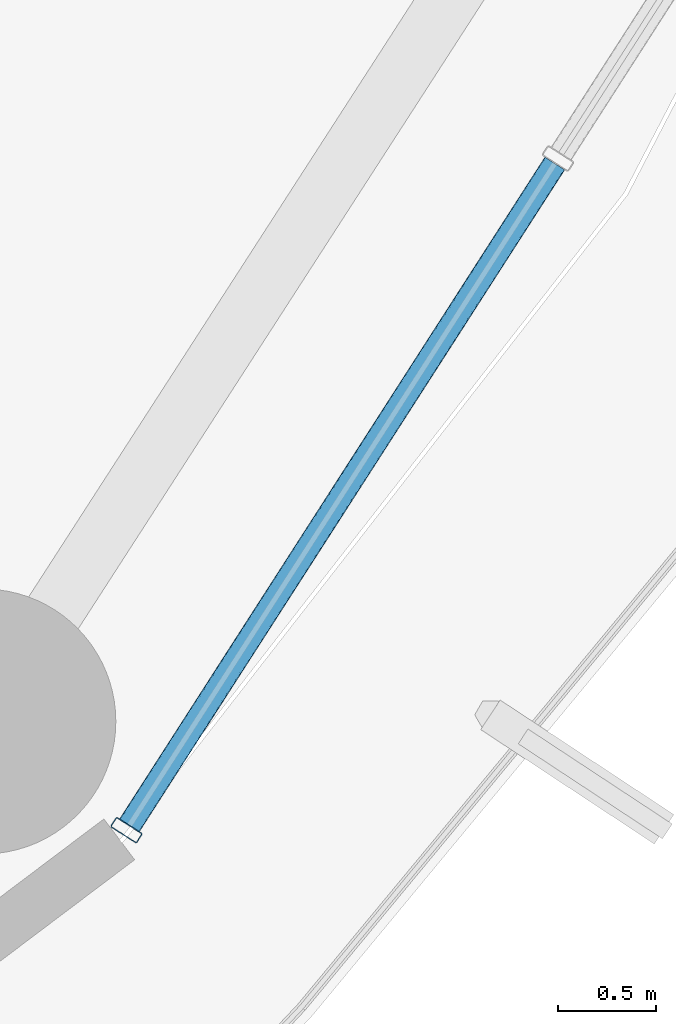
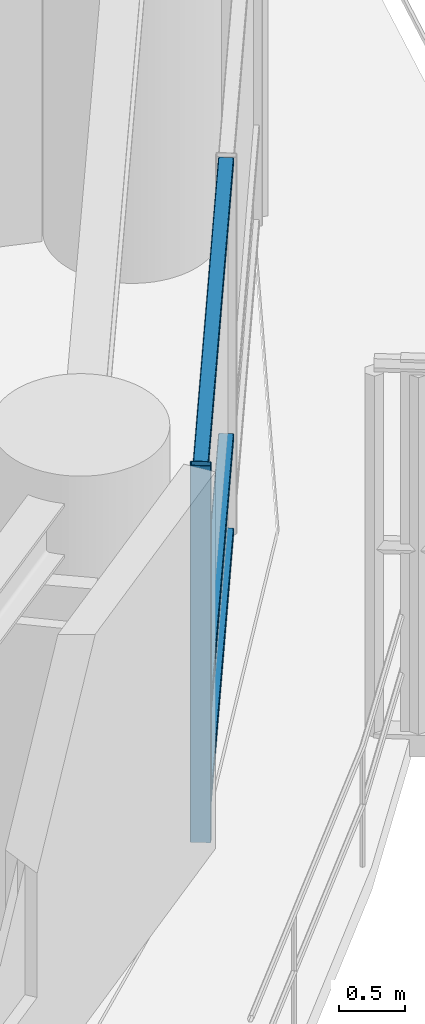
# One storey, part 12 of 38: 4 members, 1 element without a shape of its own.
"""IFC4 building model written with IfcOpenShell, lengths in metres."""

from ifc_helpers import new_model, si_unit, direction, frame, origin, origin_2d, place, context, subcontext, project, spatial, hollow_rectangle, extrude, material, layer, layer_set, material_profile, profile_set, type_object, element, aggregate, save


model = new_model("IFC4")

# Units and contexts
model_context = context("Model", 3, precision=1e-05, world=origin(), true_north=direction((0.0, 1.0)))
body_context = subcontext(model_context, "Body", "Model", "MODEL_VIEW")
ifc_project = project(units=[si_unit("LENGTHUNIT", "METRE"), si_unit("AREAUNIT", "SQUARE_METRE"), si_unit("VOLUMEUNIT", "CUBIC_METRE"), si_unit("PLANEANGLEUNIT", "RADIAN"), si_unit("MASSUNIT", "GRAM", prefix="KILO")], contexts=[model_context])

# Site, building, storey
site_placement = place(None, origin())
site = spatial("IfcSite", under=ifc_project, at=site_placement, CompositionType="ELEMENT")
building_placement = place(site_placement, origin())
building = spatial("IfcBuilding", under=site, at=building_placement, Name="Kelanora Arch Commons", CompositionType="ELEMENT")
storey_placement = place(building_placement, frame((0.0, 0.0, 106.35009765625)))
storey = spatial("IfcBuildingStorey", under=building, at=storey_placement, Name="L27", CompositionType="ELEMENT", Elevation=106.35009765625)

# Curtain wall, members
ifc_material_1 = material(Name="Terracotta ceramic-fritted low-E glass and aluminium", Category="masonry")
ifc_layer = layer(ifc_material_1, 0.159912109375)
ifc_layer_set = layer_set([ifc_layer], Name="Terracotta ceramic-fritted low-E glass and aluminium")
curtain_wall_type = type_object("IfcCurtainWallType", Name="CW-SYS-01", PredefinedType="NOTDEFINED", material=ifc_layer_set)
curtain_wall_placement = place(storey_placement, origin())
curtain_wall = element("IfcCurtainWall", 1, at=curtain_wall_placement, inside=storey, type_object=curtain_wall_type, Name="Unitised Curtain Wall L27-B16", PredefinedType="NOTDEFINED")
ifc_material_2 = material(Name="Powder-coated aluminium terracotta", Category="masonry")
ifc_material_profile_1 = material_profile(ifc_material_2, hollow_rectangle(XDim=0.159912109375, YDim=0.06005859375, WallThickness=0.0048828125, InnerFilletRadius=0.0048828125, OuterFilletRadius=0.010009765625, at=origin_2d()), Name="CWM160x60")
ifc_profile_set_1 = profile_set([ifc_material_profile_1], Name="Powder-coated aluminium terracotta")
member_type_1 = type_object("IfcMemberType", Name="CWM-STD", PredefinedType="MULLION", material=ifc_profile_set_1)
member_1_placement = place(storey_placement, frame((93.635009765625, 43.253662109375, 0.0), z_axis=(0.0, 0.0, 1.0), x_axis=(-0.841268883088, 0.540616931244, 0.0)))
member_1 = element("IfcMember", 2, at=member_1_placement, type_object=member_type_1, Name="CW-01 mullion 1", PredefinedType="MULLION", context=body_context, shape_type="SweptSolid", body=[
    extrude(hollow_rectangle(XDim=0.159912109375, YDim=0.06005859375, WallThickness=0.0048828125, InnerFilletRadius=0.0048828125, OuterFilletRadius=0.010009765625, at=origin_2d()), origin(), (0.0, 0.0, 1.0), 3.474853515625),
])
ifc_material_profile_2 = material_profile(ifc_material_2, hollow_rectangle(XDim=0.1201171875, YDim=0.06005859375, WallThickness=0.0048828125, InnerFilletRadius=0.0048828125, OuterFilletRadius=0.010009765625, at=origin_2d()), Name="CWT120x60")
ifc_profile_set_2 = profile_set([ifc_material_profile_2], Name="Powder-coated aluminium terracotta")
member_type_2 = type_object("IfcMemberType", Name="CWT-STD", PredefinedType="USERDEFINED", material=ifc_profile_set_2)
member_2_placement = place(storey_placement, frame((93.651123046875, 43.279052734375, 0.02978515625), z_axis=(0.540643629734, 0.841251725483, 0.0), x_axis=(-0.841251725483, 0.540643629734, 0.0)))
member_2 = element("IfcMember", 3, at=member_2_placement, type_object=member_type_2, Name="CW-01 transom 1.1", ObjectType="TRANSOM", PredefinedType="USERDEFINED", context=body_context, shape_type="SweptSolid", body=[
    extrude(hollow_rectangle(XDim=0.1201171875, YDim=0.06005859375, WallThickness=0.0048828125, InnerFilletRadius=0.0048828125, OuterFilletRadius=0.010009765625, at=origin_2d()), origin(), (0.0, 0.0, 1.0), 4.00634765625),
])
member_3_placement = place(storey_placement, frame((93.651123046875, 43.279052734375, 0.89990234375), z_axis=(0.540643629734, 0.841251725483, 0.0), x_axis=(-0.841251725483, 0.540643629734, 0.0)))
member_3 = element("IfcMember", 4, at=member_3_placement, type_object=member_type_2, Name="CW-01 transom 1.2", ObjectType="TRANSOM", PredefinedType="USERDEFINED", context=body_context, shape_type="SweptSolid", body=[
    extrude(hollow_rectangle(XDim=0.1201171875, YDim=0.06005859375, WallThickness=0.0048828125, InnerFilletRadius=0.0048828125, OuterFilletRadius=0.010009765625, at=origin_2d()), origin(), (0.0, 0.0, 1.0), 4.00634765625),
])
member_4_placement = place(storey_placement, frame((93.651123046875, 43.279052734375, 3.44482421875), z_axis=(0.540643629734, 0.841251725483, 0.0), x_axis=(-0.841251725483, 0.540643629734, 0.0)))
member_4 = element("IfcMember", 5, at=member_4_placement, type_object=member_type_2, Name="CW-01 transom 1.3", ObjectType="TRANSOM", PredefinedType="USERDEFINED", context=body_context, shape_type="SweptSolid", body=[
    extrude(hollow_rectangle(XDim=0.1201171875, YDim=0.06005859375, WallThickness=0.0048828125, InnerFilletRadius=0.0048828125, OuterFilletRadius=0.010009765625, at=origin_2d()), origin(), (0.0, 0.0, 1.0), 4.00634765625),
])
aggregate(curtain_wall, [member_1, member_2, member_3, member_4])

save(model, "model.ifc")
